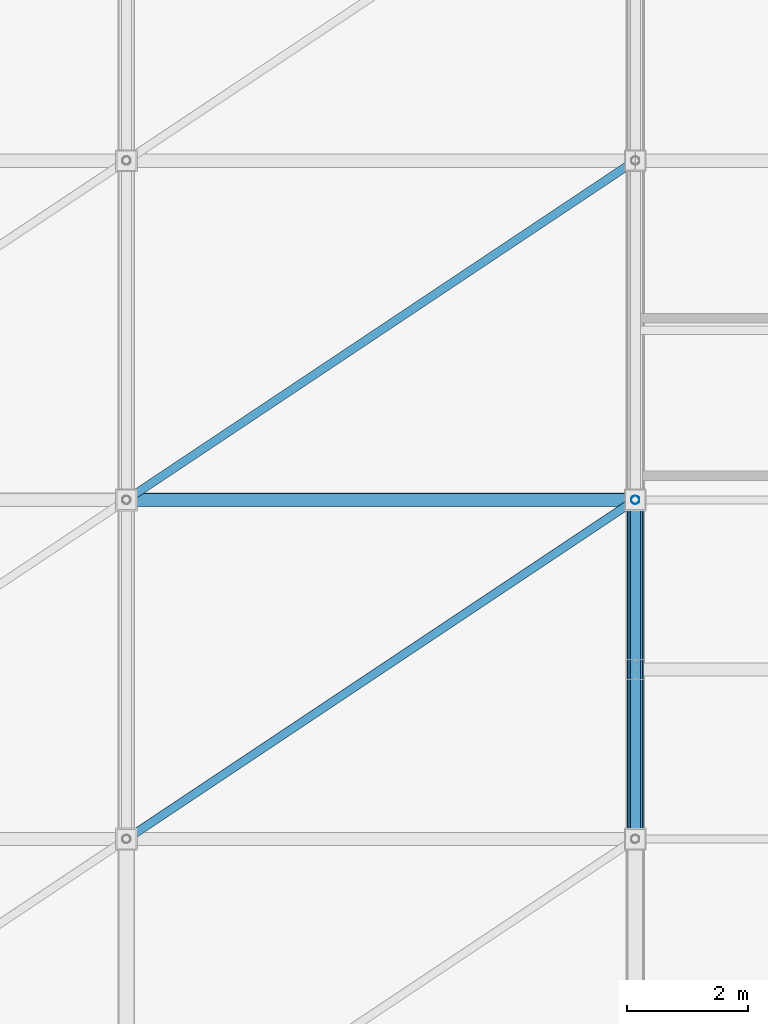
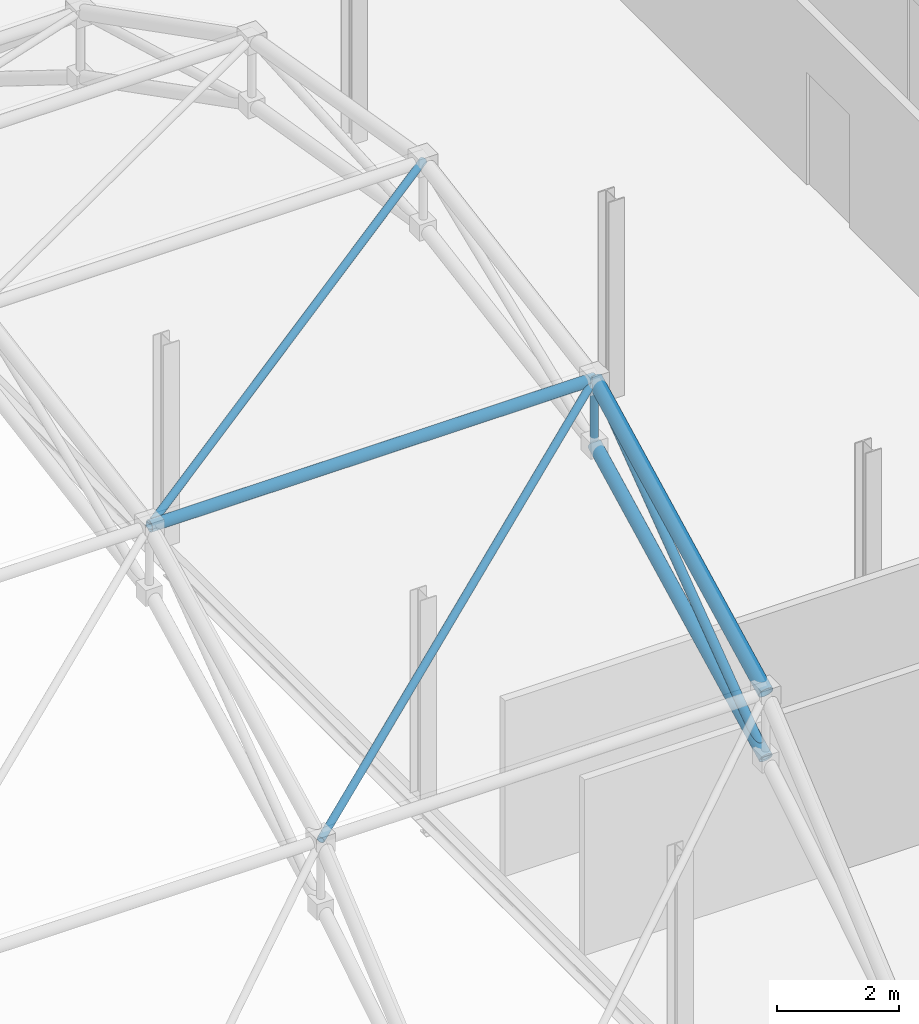
# One storey, part 83 of 184: 7 members.
"""IFC4 building model written with IfcOpenShell, lengths in metres."""

import ifcopenshell
import ifcopenshell.guid

model = None  # the IFC model being written
_history = None  # IfcOwnerHistory: only IFC2X3 demands one
_inside = {}  # id of a spatial element -> (the spatial element, [elements in it])
_under = {}  # id of a project, library or spatial element -> (it, [spatial elements below it])
_declared = {}  # id of a project -> (the project, [libraries it declares])
_typed = {}  # id of a type object -> (the type object, [elements of that type])
_made_of = {}  # id of a material, layer set ... -> (it, [elements and type objects made of it])


def new_model(schema):
    """Start an empty IFC model of exactly this schema.

    Asked for "IFC4X3", IfcOpenShell would pick the latest addendum, in which some entities
    have other attributes; the version numbers below select the first issue.
    IFC2X3 requires an IfcOwnerHistory on every rooted entity: one is made here for all.
    """
    global model, _history
    if schema == "IFC4X3":
        model = ifcopenshell.file(schema_version=(4, 3, 0, 0))
    else:
        model = ifcopenshell.file(schema=schema)
    _inside.clear()
    _under.clear()
    _declared.clear()
    _typed.clear()
    _made_of.clear()
    _history = None
    if model.schema == "IFC2X3":
        org = make("IfcOrganization", Name="unknown")
        user = make(
            "IfcPersonAndOrganization",
            ThePerson=make("IfcPerson", FamilyName="unknown"),
            TheOrganization=org,
        )
        app = make(
            "IfcApplication",
            ApplicationDeveloper=org,
            Version="unknown",
            ApplicationFullName="unknown",
            ApplicationIdentifier="unknown",
        )
        _history = make(
            "IfcOwnerHistory",
            OwningUser=user,
            OwningApplication=app,
            ChangeAction="ADDED",
            CreationDate=0,
        )
    return model


def make(cls, **values):
    """One entity of the class cls with the attributes given. An attribute that is None is left unset."""
    return model.create_entity(
        cls, **{name: value for name, value in values.items() if value is not None}
    )


def rooted(cls, **values):
    """An entity with a GlobalId (a new one), such as an element, a storey or a relation."""
    return make(cls, GlobalId=ifcopenshell.guid.new(), OwnerHistory=_history, **values)


def si_unit(unit_type, name, prefix=None):
    """IfcSIUnit, for example si_unit("LENGTHUNIT", "METRE", prefix="MILLI")."""
    return make("IfcSIUnit", UnitType=unit_type, Prefix=prefix, Name=name)


def assignment(units):
    """IfcUnitAssignment: the units of a project."""
    return None if units is None else make("IfcUnitAssignment", Units=units)


def point(xyz):
    """IfcCartesianPoint."""
    return None if xyz is None else make("IfcCartesianPoint", Coordinates=xyz)


def direction(xyz):
    """IfcDirection."""
    return None if xyz is None else make("IfcDirection", DirectionRatios=xyz)


def frame(location, z_axis=None, x_axis=None):
    """IfcAxis2Placement3D, a coordinate frame: its origin and axes. An axis left out is left unset."""
    return make(
        "IfcAxis2Placement3D",
        Location=point(location),
        Axis=direction(z_axis),
        RefDirection=direction(x_axis),
    )


def frame_2d(location, x_axis=None):
    """IfcAxis2Placement2D, a coordinate frame in the plane: its origin and x axis."""
    return make(
        "IfcAxis2Placement2D", Location=point(location), RefDirection=direction(x_axis)
    )


def origin():
    """The frame at (0, 0, 0) with its axes left unset."""
    return frame((0.0, 0.0, 0.0))


def origin_2d():
    """The frame at (0, 0) in the plane with its x axis left unset."""
    return frame_2d((0.0, 0.0))


def place(relative_to, where):
    """IfcLocalPlacement: puts the frame where relative to a parent placement (None: the world)."""
    return make(
        "IfcLocalPlacement", PlacementRelTo=relative_to, RelativePlacement=where
    )


def context(
    kind, dimensions, precision=None, world=None, true_north=None, identifier=None
):
    """IfcGeometricRepresentationContext, for example the 3D "Model" context."""
    return make(
        "IfcGeometricRepresentationContext",
        ContextIdentifier=identifier,
        ContextType=kind,
        CoordinateSpaceDimension=dimensions,
        Precision=precision,
        WorldCoordinateSystem=world,
        TrueNorth=true_north,
    )


def subcontext(parent, identifier, kind, view, scale=None):
    """IfcGeometricRepresentationSubContext, for example "Body" below "Model"."""
    return make(
        "IfcGeometricRepresentationSubContext",
        ContextIdentifier=identifier,
        ContextType=kind,
        ParentContext=parent,
        TargetScale=scale,
        TargetView=view,
    )


def project(units=None, contexts=None):
    """IfcProject with its units and contexts."""
    return rooted(
        "IfcProject",
        Name="project",
        RepresentationContexts=contexts,
        UnitsInContext=assignment(units),
    )


def spatial(cls, under=None, at=None, **own):
    """A site, building, storey or space (cls), placed at a placement, below another one or the project."""
    s = rooted(cls, ObjectPlacement=at, **own)
    if under is not None:
        _under.setdefault(under.id(), (under, []))[1].append(s)
    return s


def profile(cls, at=None, kind="AREA", **sizes):
    """A parametric profile (cls). Its sizes go by their IFC names, for example OverallWidth=200.0."""
    return make(cls, ProfileType=kind, Position=at, **sizes)


def hollow_circle(**sizes):
    """IfcCircleHollowProfileDef."""
    return profile("IfcCircleHollowProfileDef", **sizes)


def extrude(swept, where, along, depth):
    """IfcExtrudedAreaSolid: the profile swept, set in the frame where, extruded along a direction by depth."""
    return make(
        "IfcExtrudedAreaSolid",
        SweptArea=swept,
        Position=where,
        ExtrudedDirection=direction(along),
        Depth=depth,
    )


def shape(context_of_items, identifier, shape_type, items):
    """IfcShapeRepresentation: the items that make up one representation, for example the "Body"."""
    return make(
        "IfcShapeRepresentation",
        ContextOfItems=context_of_items,
        RepresentationIdentifier=identifier,
        RepresentationType=shape_type,
        Items=items,
    )


def material(Name=None, Category=None):
    """IfcMaterial."""
    return make("IfcMaterial", Name=Name, Category=Category)


def material_profile(
    of_material, cross_section, Name=None, Category=None, Priority=None
):
    """IfcMaterialProfile: a cross section and its material."""
    return make(
        "IfcMaterialProfile",
        Name=Name,
        Material=of_material,
        Profile=cross_section,
        Priority=Priority,
        Category=Category,
    )


def profile_set(profiles, Name=None, composite=None):
    """IfcMaterialProfileSet."""
    return make(
        "IfcMaterialProfileSet",
        Name=Name,
        MaterialProfiles=profiles,
        CompositeProfile=composite,
    )


def made_of(thing, what):
    """Note that an element or type object is made of a material, layer set ...; save() writes the relation."""
    if what is not None:
        _made_of.setdefault(what.id(), (what, []))[1].append(thing)
    return thing


def type_object(cls, material=None, **own):
    """A type object (cls), such as IfcWallType, which elements share."""
    return made_of(rooted(cls, **own), material)


def element(
    cls,
    number,
    at=None,
    inside=None,
    cuts=None,
    type_object=None,
    material=None,
    context=None,
    identifier="Body",
    shape_type=None,
    held_by="IfcProductDefinitionShape",
    body=None,
    shapes=None,
    **own,
):
    """One element of the class cls, such as IfcWall. Its Tag is "e" and its number.

    at: its placement. inside: the storey or other place that contains it. cuts: it is an
    opening in that element (IfcRelVoidsElement). A single representation is given by context,
    identifier, shape_type and body (its items); several are given by shapes. held_by: the class
    of the entity that holds the representations. save() writes the other relations.
    """
    e = rooted(cls, Tag="e%d" % number, ObjectPlacement=at, **own)
    if body is not None:
        shapes = [shape(context, identifier, shape_type, body)]
    if shapes is not None:
        e.Representation = make(held_by, Representations=shapes)
    if inside is not None:
        _inside.setdefault(inside.id(), (inside, []))[1].append(e)
    if cuts is not None:
        rooted(
            "IfcRelVoidsElement", RelatingBuildingElement=cuts, RelatedOpeningElement=e
        )
    if type_object is not None:
        _typed.setdefault(type_object.id(), (type_object, []))[1].append(e)
    return made_of(e, material)


def aggregate(whole, parts):
    """IfcRelAggregates: a whole, such as a stair, and the parts it consists of."""
    return rooted("IfcRelAggregates", RelatingObject=whole, RelatedObjects=parts)


def save(model, path):
    """Write the relations noted so far, then the file.

    IfcRelAggregates (storeys below a building ...), IfcRelContainedInSpatialStructure (elements
    in a storey), IfcRelDefinesByType, IfcRelAssociatesMaterial and IfcRelDeclares: one each for
    every whole, place, type object, material and project.
    """
    for whole, parts in _under.values():
        aggregate(whole, parts)
    for where, things in _inside.values():
        rooted(
            "IfcRelContainedInSpatialStructure",
            RelatedElements=things,
            RelatingStructure=where,
        )
    for kind, things in _typed.values():
        rooted("IfcRelDefinesByType", RelatedObjects=things, RelatingType=kind)
    for what, things in _made_of.values():
        rooted("IfcRelAssociatesMaterial", RelatedObjects=things, RelatingMaterial=what)
    for by, libraries in _declared.values():
        rooted("IfcRelDeclares", RelatingContext=by, RelatedDefinitions=libraries)
    model.write(path)


model = new_model("IFC4")

# Units and contexts
model_context = context("Model", 3, precision=1e-05, world=origin(), true_north=direction((0.0, 1.0)))
body_context = subcontext(model_context, "Body", "Model", "MODEL_VIEW")
ifc_project = project(units=[si_unit("LENGTHUNIT", "METRE"), si_unit("AREAUNIT", "SQUARE_METRE"), si_unit("VOLUMEUNIT", "CUBIC_METRE"), si_unit("PLANEANGLEUNIT", "RADIAN"), si_unit("MASSUNIT", "GRAM", prefix="KILO")], contexts=[model_context])

# Site, building, storey
site_placement = place(None, origin())
site = spatial("IfcSite", under=ifc_project, at=site_placement, CompositionType="ELEMENT")
building_placement = place(site_placement, origin())
building = spatial("IfcBuilding", under=site, at=building_placement, Name="Qalvenar Corner Mobility Hub", CompositionType="ELEMENT")
storey_placement = place(building_placement, frame((0.0, 0.0, 9.0)))
storey = spatial("IfcBuildingStorey", under=building, at=storey_placement, Name="L02", CompositionType="ELEMENT", Elevation=9.0)

# Members
ifc_material = material(Name="Steel S355", Category="steel")
ifc_material_profile_1 = material_profile(ifc_material, hollow_circle(Radius=0.109619140625, WallThickness=0.008056640625, at=origin_2d()), Name="CHS219.1x8")
ifc_profile_set_1 = profile_set([ifc_material_profile_1], Name="Steel S355")
member_type_1 = type_object("IfcMemberType", Name="SF-CHD219", PredefinedType="CHORD", material=ifc_profile_set_1)
member_1_placement = place(storey_placement, frame((100.800048828125, 11.199951171875, 11.704345703125), z_axis=(1.0, 0.0, 0.0), x_axis=(0.0, 1.0, 0.0)))
element("IfcMember", 1, at=member_1_placement, inside=storey, type_object=member_type_1, Name="Space Frame Longitudinal Chord SFL-0236", PredefinedType="CHORD", context=body_context, shape_type="SweptSolid", body=[
    extrude(hollow_circle(Radius=0.109619140625, WallThickness=0.008056640625, at=origin_2d()), origin(), (0.0, 0.0, 1.0), 8.39990234375),
])
ifc_material_profile_2 = material_profile(ifc_material, hollow_circle(Radius=0.122314453125, WallThickness=0.0087890625, at=origin_2d()), Name="CHS244.5x8.8")
ifc_profile_set_2 = profile_set([ifc_material_profile_2], Name="Steel S355")
member_type_2 = type_object("IfcMemberType", Name="SF-CHD244", PredefinedType="CHORD", material=ifc_profile_set_2)
member_2_placement = place(storey_placement, frame((109.199951171875, 5.60009765625, 7.537841796875), z_axis=(0.0, 0.890157020212, 0.455653903052), x_axis=(-1.0, 0.0, 0.0)))
element("IfcMember", 2, at=member_2_placement, inside=storey, type_object=member_type_2, Name="Space Frame Bottom Chord SFBC-0151", PredefinedType="CHORD", context=body_context, shape_type="SweptSolid", body=[
    extrude(hollow_circle(Radius=0.122314453125, WallThickness=0.0087890625, at=origin_2d()), origin(), (0.0, 0.0, 1.0), 6.290771484375),
])
ifc_material_profile_3 = material_profile(ifc_material, hollow_circle(Radius=0.136474609375, WallThickness=0.010009765625, at=origin_2d()), Name="CHS273x10")
ifc_profile_set_3 = profile_set([ifc_material_profile_3], Name="Steel S355")
member_type_3 = type_object("IfcMemberType", Name="SF-CHD273", PredefinedType="CHORD", material=ifc_profile_set_3)
member_3_placement = place(storey_placement, frame((109.199951171875, 5.60009765625, 8.837890625), z_axis=(0.0, 0.890157020212, 0.455653903052), x_axis=(-1.0, 0.0, 0.0)))
element("IfcMember", 3, at=member_3_placement, inside=storey, type_object=member_type_3, Name="Space Frame Top Chord SFTC-0150", PredefinedType="CHORD", context=body_context, shape_type="SweptSolid", body=[
    extrude(hollow_circle(Radius=0.136474609375, WallThickness=0.010009765625, at=origin_2d()), origin(), (0.0, 0.0, 1.0), 6.290771484375),
])
ifc_material_profile_4 = material_profile(ifc_material, hollow_circle(Radius=0.06982421875, WallThickness=0.0048828125, at=origin_2d()), Name="CHS139.7x5")
ifc_profile_set_4 = profile_set([ifc_material_profile_4], Name="Steel S355")
member_type_4 = type_object("IfcMemberType", Name="SF-STR139", PredefinedType="STRUT", material=ifc_profile_set_4)
member_4_placement = place(storey_placement, frame((109.199951171875, 11.199951171875, 10.404296875), z_axis=(0.0, 0.0, 1.0), x_axis=(1.0, 0.0, 0.0)))
element("IfcMember", 4, at=member_4_placement, inside=storey, type_object=member_type_4, Name="Space Frame King Strut SFV-0165", PredefinedType="STRUT", context=body_context, shape_type="SweptSolid", body=[
    extrude(hollow_circle(Radius=0.06982421875, WallThickness=0.0048828125, at=origin_2d()), origin(), (0.0, 0.0, 1.0), 1.300048828125),
])
member_5_placement = place(storey_placement, frame((100.800048828125, 5.60009765625, 8.837890625), z_axis=(0.800414492238, 0.53360190689, 0.273140340445), x_axis=(-0.554694615428, 0.832054014842, 0.0)))
element("IfcMember", 5, at=member_5_placement, inside=storey, type_object=member_type_4, Name="Space Frame Plan Strut SFP-0241", PredefinedType="STRUT", context=body_context, shape_type="SweptSolid", body=[
    extrude(hollow_circle(Radius=0.06982421875, WallThickness=0.0048828125, at=origin_2d()), origin(), (0.0, 0.0, 1.0), 10.494384765625),
])
member_6_placement = place(storey_placement, frame((100.800048828125, 11.199951171875, 11.704345703125), z_axis=(0.828340531995, 0.552243071642, 0.094231379475), x_axis=(-0.554711357594, 0.832042853317, 0.0)))
element("IfcMember", 6, at=member_6_placement, inside=storey, type_object=member_type_4, Name="Space Frame Plan Strut SFP-0242", PredefinedType="STRUT", context=body_context, shape_type="SweptSolid", body=[
    extrude(hollow_circle(Radius=0.06982421875, WallThickness=0.0048828125, at=origin_2d()), origin(), (0.0, 0.0, 1.0), 10.140625),
])
ifc_material_profile_5 = material_profile(ifc_material, hollow_circle(Radius=0.084228515625, WallThickness=0.00634765625, at=origin_2d()), Name="CHS168.3x6.3")
ifc_profile_set_5 = profile_set([ifc_material_profile_5], Name="Steel S355")
member_type_5 = type_object("IfcMemberType", Name="SF-STR168", PredefinedType="STRUT", material=ifc_profile_set_5)
member_7_placement = place(storey_placement, frame((109.199951171875, 5.60009765625, 7.537841796875), z_axis=(0.0, 0.802290097952, 0.596934333682), x_axis=(-1.0, 0.0, 0.0)))
element("IfcMember", 7, at=member_7_placement, inside=storey, type_object=member_type_5, Name="Space Frame Web Strut SFD-0152", PredefinedType="STRUT", context=body_context, shape_type="SweptSolid", body=[
    extrude(hollow_circle(Radius=0.084228515625, WallThickness=0.00634765625, at=origin_2d()), origin(), (0.0, 0.0, 1.0), 6.979736328125),
])

save(model, "model.ifc")
